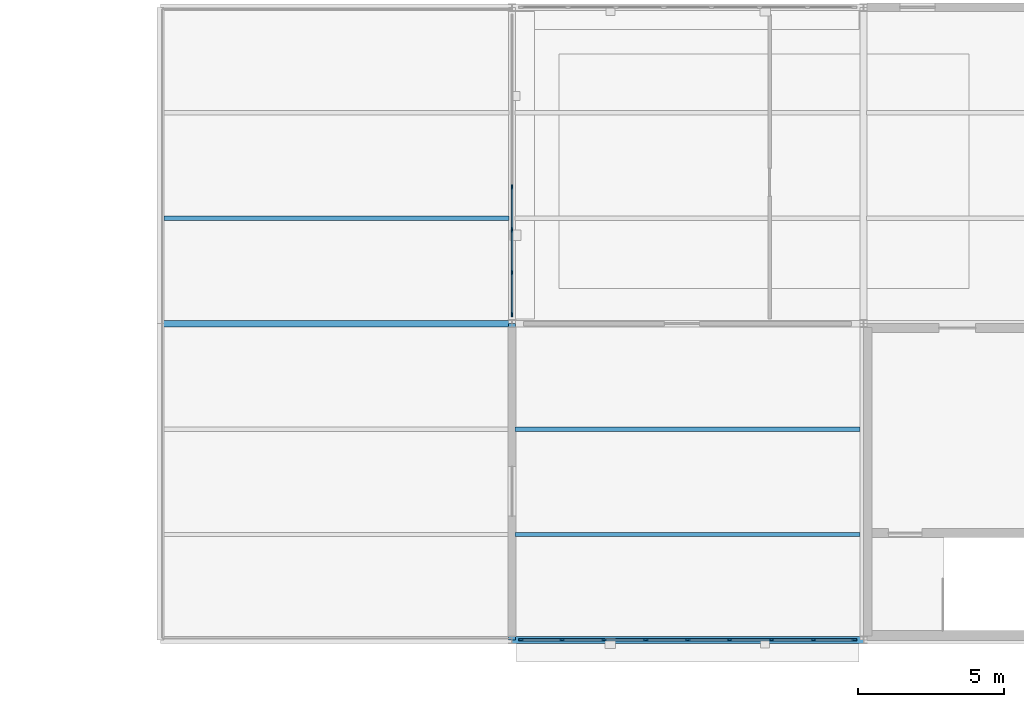
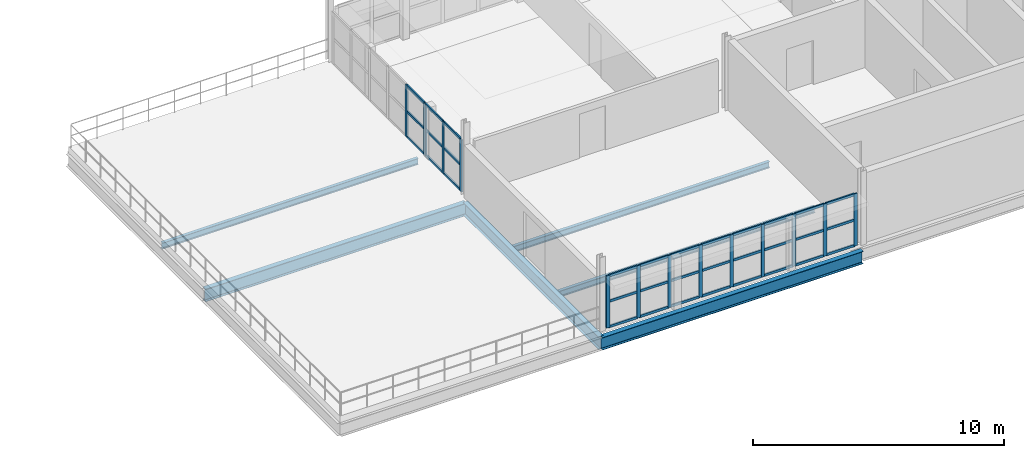
# One storey, part 29 of 62: 46 members, 6 beams, 2 elements without a shape of their own.
"""IFC4 building model written with IfcOpenShell, lengths in metres."""

import ifcopenshell
import ifcopenshell.guid

model = None  # the IFC model being written
_history = None  # IfcOwnerHistory: only IFC2X3 demands one
_inside = {}  # id of a spatial element -> (the spatial element, [elements in it])
_under = {}  # id of a project, library or spatial element -> (it, [spatial elements below it])
_declared = {}  # id of a project -> (the project, [libraries it declares])
_typed = {}  # id of a type object -> (the type object, [elements of that type])
_made_of = {}  # id of a material, layer set ... -> (it, [elements and type objects made of it])


def new_model(schema):
    """Start an empty IFC model of exactly this schema.

    Asked for "IFC4X3", IfcOpenShell would pick the latest addendum, in which some entities
    have other attributes; the version numbers below select the first issue.
    IFC2X3 requires an IfcOwnerHistory on every rooted entity: one is made here for all.
    """
    global model, _history
    if schema == "IFC4X3":
        model = ifcopenshell.file(schema_version=(4, 3, 0, 0))
    else:
        model = ifcopenshell.file(schema=schema)
    _inside.clear()
    _under.clear()
    _declared.clear()
    _typed.clear()
    _made_of.clear()
    _history = None
    if model.schema == "IFC2X3":
        org = make("IfcOrganization", Name="unknown")
        user = make(
            "IfcPersonAndOrganization",
            ThePerson=make("IfcPerson", FamilyName="unknown"),
            TheOrganization=org,
        )
        app = make(
            "IfcApplication",
            ApplicationDeveloper=org,
            Version="unknown",
            ApplicationFullName="unknown",
            ApplicationIdentifier="unknown",
        )
        _history = make(
            "IfcOwnerHistory",
            OwningUser=user,
            OwningApplication=app,
            ChangeAction="ADDED",
            CreationDate=0,
        )
    return model


def make(cls, **values):
    """One entity of the class cls with the attributes given. An attribute that is None is left unset."""
    return model.create_entity(
        cls, **{name: value for name, value in values.items() if value is not None}
    )


def rooted(cls, **values):
    """An entity with a GlobalId (a new one), such as an element, a storey or a relation."""
    return make(cls, GlobalId=ifcopenshell.guid.new(), OwnerHistory=_history, **values)


def si_unit(unit_type, name, prefix=None):
    """IfcSIUnit, for example si_unit("LENGTHUNIT", "METRE", prefix="MILLI")."""
    return make("IfcSIUnit", UnitType=unit_type, Prefix=prefix, Name=name)


def assignment(units):
    """IfcUnitAssignment: the units of a project."""
    return None if units is None else make("IfcUnitAssignment", Units=units)


def point(xyz):
    """IfcCartesianPoint."""
    return None if xyz is None else make("IfcCartesianPoint", Coordinates=xyz)


def direction(xyz):
    """IfcDirection."""
    return None if xyz is None else make("IfcDirection", DirectionRatios=xyz)


def frame(location, z_axis=None, x_axis=None):
    """IfcAxis2Placement3D, a coordinate frame: its origin and axes. An axis left out is left unset."""
    return make(
        "IfcAxis2Placement3D",
        Location=point(location),
        Axis=direction(z_axis),
        RefDirection=direction(x_axis),
    )


def frame_2d(location, x_axis=None):
    """IfcAxis2Placement2D, a coordinate frame in the plane: its origin and x axis."""
    return make(
        "IfcAxis2Placement2D", Location=point(location), RefDirection=direction(x_axis)
    )


def origin():
    """The frame at (0, 0, 0) with its axes left unset."""
    return frame((0.0, 0.0, 0.0))


def origin_2d():
    """The frame at (0, 0) in the plane with its x axis left unset."""
    return frame_2d((0.0, 0.0))


def place(relative_to, where):
    """IfcLocalPlacement: puts the frame where relative to a parent placement (None: the world)."""
    return make(
        "IfcLocalPlacement", PlacementRelTo=relative_to, RelativePlacement=where
    )


def context(
    kind, dimensions, precision=None, world=None, true_north=None, identifier=None
):
    """IfcGeometricRepresentationContext, for example the 3D "Model" context."""
    return make(
        "IfcGeometricRepresentationContext",
        ContextIdentifier=identifier,
        ContextType=kind,
        CoordinateSpaceDimension=dimensions,
        Precision=precision,
        WorldCoordinateSystem=world,
        TrueNorth=true_north,
    )


def subcontext(parent, identifier, kind, view, scale=None):
    """IfcGeometricRepresentationSubContext, for example "Body" below "Model"."""
    return make(
        "IfcGeometricRepresentationSubContext",
        ContextIdentifier=identifier,
        ContextType=kind,
        ParentContext=parent,
        TargetScale=scale,
        TargetView=view,
    )


def project(units=None, contexts=None):
    """IfcProject with its units and contexts."""
    return rooted(
        "IfcProject",
        Name="project",
        RepresentationContexts=contexts,
        UnitsInContext=assignment(units),
    )


def spatial(cls, under=None, at=None, **own):
    """A site, building, storey or space (cls), placed at a placement, below another one or the project."""
    s = rooted(cls, ObjectPlacement=at, **own)
    if under is not None:
        _under.setdefault(under.id(), (under, []))[1].append(s)
    return s


def profile(cls, at=None, kind="AREA", **sizes):
    """A parametric profile (cls). Its sizes go by their IFC names, for example OverallWidth=200.0."""
    return make(cls, ProfileType=kind, Position=at, **sizes)


def rectangle(**sizes):
    """IfcRectangleProfileDef."""
    return profile("IfcRectangleProfileDef", **sizes)


def i_section(**sizes):
    """IfcIShapeProfileDef."""
    return profile("IfcIShapeProfileDef", **sizes)


def extrude(swept, where, along, depth):
    """IfcExtrudedAreaSolid: the profile swept, set in the frame where, extruded along a direction by depth."""
    return make(
        "IfcExtrudedAreaSolid",
        SweptArea=swept,
        Position=where,
        ExtrudedDirection=direction(along),
        Depth=depth,
    )


def shape(context_of_items, identifier, shape_type, items):
    """IfcShapeRepresentation: the items that make up one representation, for example the "Body"."""
    return make(
        "IfcShapeRepresentation",
        ContextOfItems=context_of_items,
        RepresentationIdentifier=identifier,
        RepresentationType=shape_type,
        Items=items,
    )


def material(Name=None, Category=None):
    """IfcMaterial."""
    return make("IfcMaterial", Name=Name, Category=Category)


def layer(
    of_material, thickness, ventilated=None, Name=None, Category=None, Priority=None
):
    """IfcMaterialLayer: one layer of a wall or slab, of a material (None: an air gap)."""
    return make(
        "IfcMaterialLayer",
        Material=of_material,
        LayerThickness=thickness,
        IsVentilated=ventilated,
        Name=Name,
        Category=Category,
        Priority=Priority,
    )


def layer_set(layers, Name=None):
    """IfcMaterialLayerSet."""
    return make("IfcMaterialLayerSet", MaterialLayers=layers, LayerSetName=Name)


def material_profile(
    of_material, cross_section, Name=None, Category=None, Priority=None
):
    """IfcMaterialProfile: a cross section and its material."""
    return make(
        "IfcMaterialProfile",
        Name=Name,
        Material=of_material,
        Profile=cross_section,
        Priority=Priority,
        Category=Category,
    )


def profile_set(profiles, Name=None, composite=None):
    """IfcMaterialProfileSet."""
    return make(
        "IfcMaterialProfileSet",
        Name=Name,
        MaterialProfiles=profiles,
        CompositeProfile=composite,
    )


def made_of(thing, what):
    """Note that an element or type object is made of a material, layer set ...; save() writes the relation."""
    if what is not None:
        _made_of.setdefault(what.id(), (what, []))[1].append(thing)
    return thing


def type_object(cls, material=None, **own):
    """A type object (cls), such as IfcWallType, which elements share."""
    return made_of(rooted(cls, **own), material)


def element(
    cls,
    number,
    at=None,
    inside=None,
    cuts=None,
    type_object=None,
    material=None,
    context=None,
    identifier="Body",
    shape_type=None,
    held_by="IfcProductDefinitionShape",
    body=None,
    shapes=None,
    **own,
):
    """One element of the class cls, such as IfcWall. Its Tag is "e" and its number.

    at: its placement. inside: the storey or other place that contains it. cuts: it is an
    opening in that element (IfcRelVoidsElement). A single representation is given by context,
    identifier, shape_type and body (its items); several are given by shapes. held_by: the class
    of the entity that holds the representations. save() writes the other relations.
    """
    e = rooted(cls, Tag="e%d" % number, ObjectPlacement=at, **own)
    if body is not None:
        shapes = [shape(context, identifier, shape_type, body)]
    if shapes is not None:
        e.Representation = make(held_by, Representations=shapes)
    if inside is not None:
        _inside.setdefault(inside.id(), (inside, []))[1].append(e)
    if cuts is not None:
        rooted(
            "IfcRelVoidsElement", RelatingBuildingElement=cuts, RelatedOpeningElement=e
        )
    if type_object is not None:
        _typed.setdefault(type_object.id(), (type_object, []))[1].append(e)
    return made_of(e, material)


def aggregate(whole, parts):
    """IfcRelAggregates: a whole, such as a stair, and the parts it consists of."""
    return rooted("IfcRelAggregates", RelatingObject=whole, RelatedObjects=parts)


def save(model, path):
    """Write the relations noted so far, then the file.

    IfcRelAggregates (storeys below a building ...), IfcRelContainedInSpatialStructure (elements
    in a storey), IfcRelDefinesByType, IfcRelAssociatesMaterial and IfcRelDeclares: one each for
    every whole, place, type object, material and project.
    """
    for whole, parts in _under.values():
        aggregate(whole, parts)
    for where, things in _inside.values():
        rooted(
            "IfcRelContainedInSpatialStructure",
            RelatedElements=things,
            RelatingStructure=where,
        )
    for kind, things in _typed.values():
        rooted("IfcRelDefinesByType", RelatedObjects=things, RelatingType=kind)
    for what, things in _made_of.values():
        rooted("IfcRelAssociatesMaterial", RelatedObjects=things, RelatingMaterial=what)
    for by, libraries in _declared.values():
        rooted("IfcRelDeclares", RelatingContext=by, RelatedDefinitions=libraries)
    model.write(path)


model = new_model("IFC4")

# Units and contexts
model_context = context("Model", 3, precision=1e-05, world=origin(), true_north=direction((0.0, 1.0)))
body_context = subcontext(model_context, "Body", "Model", "MODEL_VIEW")
ifc_project = project(units=[si_unit("LENGTHUNIT", "METRE"), si_unit("AREAUNIT", "SQUARE_METRE"), si_unit("VOLUMEUNIT", "CUBIC_METRE"), si_unit("PLANEANGLEUNIT", "RADIAN"), si_unit("MASSUNIT", "GRAM", prefix="KILO"), si_unit("THERMODYNAMICTEMPERATUREUNIT", "KELVIN"), si_unit("POWERUNIT", "WATT")], contexts=[model_context])

# Site, building, storey
site_placement = place(None, origin())
site = spatial("IfcSite", under=ifc_project, at=site_placement, CompositionType="ELEMENT")
building_placement = place(site_placement, origin())
building = spatial("IfcBuilding", under=site, at=building_placement, Name="Tembeka Court Mobility Hub", CompositionType="ELEMENT")
storey_placement = place(building_placement, frame((0.0, 0.0, 16.199951171875)))
storey = spatial("IfcBuildingStorey", under=building, at=storey_placement, Name="L04", CompositionType="ELEMENT", Elevation=16.199951171875)

# Beams
ifc_material_1 = material(Name="Steel S355", Category="steel")
ifc_material_profile_1 = material_profile(ifc_material_1, i_section(OverallWidth=0.22900390625, OverallDepth=0.612060546875, WebThickness=0.011962890625, FlangeThickness=0.01953125, FilletRadius=0.0126953125, at=origin_2d()), Name="UKB 610x229x125")
ifc_profile_set_1 = profile_set([ifc_material_profile_1], Name="Steel S355")
beam_type_1 = type_object("IfcBeamType", Name="BM-G02", PredefinedType="USERDEFINED", material=ifc_profile_set_1)
for number, where, z_axis, x_axis, name in (
    (1, (140.39990234375, 0.0, -0.6259765625), (1.0, 0.0, 0.0), (0.0, 1.0, 0.0), "Beam G02 (BM-L04-X2196)"),
    (2, (128.39990234375, 10.800048828125, -0.6259765625), (1.0, 0.0, 0.0), (0.0, 1.0, 0.0), "Beam G02 (BM-L04-X2202)"),
):
    element("IfcBeam", number, at=place(storey_placement, frame(where, z_axis=z_axis, x_axis=x_axis)), inside=storey, type_object=beam_type_1, Name=name, ObjectType="GIRDER", PredefinedType="USERDEFINED", context=body_context, shape_type="SweptSolid", body=[
        extrude(i_section(OverallWidth=0.22900390625, OverallDepth=0.612060546875, WebThickness=0.011962890625, FlangeThickness=0.01953125, FilletRadius=0.0126953125, at=origin_2d()), origin(), (0.0, 0.0, 1.0), 12.0),
    ])
beam_placement = place(storey_placement, frame((140.39990234375, 0.0, -0.6259765625), z_axis=(0.0, 1.0, 0.0), x_axis=(-1.0, 0.0, 0.0)))
element("IfcBeam", 3, at=beam_placement, inside=storey, type_object=beam_type_1, Name="Beam G02 (BM-L04-Y2422)", ObjectType="GIRDER", PredefinedType="USERDEFINED", context=body_context, shape_type="SweptSolid", body=[
    extrude(i_section(OverallWidth=0.22900390625, OverallDepth=0.612060546875, WebThickness=0.011962890625, FlangeThickness=0.01953125, FilletRadius=0.0126953125, at=origin_2d()), origin(), (0.0, 0.0, 1.0), 10.800048828125),
])
ifc_material_profile_2 = material_profile(ifc_material_1, i_section(OverallWidth=0.14990234375, OverallDepth=0.300048828125, WebThickness=0.007080078125, FlangeThickness=0.0107421875, FilletRadius=0.014892578125, at=origin_2d()), Name="IPE 300")
ifc_profile_set_2 = profile_set([ifc_material_profile_2], Name="Steel S355")
beam_type_2 = type_object("IfcBeamType", Name="BM-J04", PredefinedType="JOIST", material=ifc_profile_set_2)
for number, where, z_axis, x_axis, name in (
    (4, (128.509521484375, 14.39990234375, -0.469970703125), (1.0, 0.0, 0.0), (0.0, 1.0, 0.0), "Beam J04 (JST-L04-2636)"),
    (5, (140.509521484375, 3.60009765625, -0.469970703125), (1.0, 0.0, 0.0), (0.0, 1.0, 0.0), "Beam J04 (JST-L04-2638)"),
    (6, (140.509521484375, 7.199951171875, -0.469970703125), (1.0, 0.0, 0.0), (0.0, 1.0, 0.0), "Beam J04 (JST-L04-2639)"),
):
    element("IfcBeam", number, at=place(storey_placement, frame(where, z_axis=z_axis, x_axis=x_axis)), inside=storey, type_object=beam_type_2, Name=name, PredefinedType="JOIST", context=body_context, shape_type="SweptSolid", body=[
        extrude(i_section(OverallWidth=0.14990234375, OverallDepth=0.300048828125, WebThickness=0.007080078125, FlangeThickness=0.0107421875, FilletRadius=0.014892578125, at=origin_2d()), origin(), (0.0, 0.0, 1.0), 11.781005859375),
    ])

# Curtain wall, members
ifc_material_2 = material(Name="Anodised aluminium 6063-T6", Category="aluminium")
ifc_layer_1 = layer(ifc_material_2, 0.159912109375)
ifc_layer_set_1 = layer_set([ifc_layer_1], Name="Anodised aluminium 6063-T6")
curtain_wall_type_1 = type_object("IfcCurtainWallType", Name="CW-SYS41", PredefinedType="USERDEFINED", material=ifc_layer_set_1)
curtain_wall_1_placement = place(storey_placement, origin())
curtain_wall_1 = element("IfcCurtainWall", 7, at=curtain_wall_1_placement, inside=storey, type_object=curtain_wall_type_1, Name="Unitised curtain wall CW41 (CW-L04-144)", ObjectType="UNITISED GLAZING", PredefinedType="USERDEFINED")
ifc_material_profile_3 = material_profile(ifc_material_2, rectangle(XDim=0.06494140625, YDim=0.159912109375, at=origin_2d()), Name="ALU-MUL 65x160")
ifc_profile_set_3 = profile_set([ifc_material_profile_3], Name="Anodised aluminium 6063-T6")
member_type_1 = type_object("IfcMemberType", Name="CW-MUL01", PredefinedType="MULLION", material=ifc_profile_set_3)
member_1_placement = place(storey_placement, frame((140.71240234375, 0.0, 0.0), z_axis=(0.0, 0.0, 1.0), x_axis=(0.0, 1.0, 0.0)))
member_1 = element("IfcMember", 8, at=member_1_placement, type_object=member_type_1, Name="CW41 mullion 1", PredefinedType="MULLION", context=body_context, shape_type="SweptSolid", body=[
    extrude(rectangle(XDim=0.06494140625, YDim=0.159912109375, at=origin_2d()), origin(), (0.0, 0.0, 1.0), 2.53515625),
])
member_2_placement = place(storey_placement, frame((142.110107421875, 0.0, 0.0), z_axis=(0.0, 0.0, 1.0), x_axis=(0.0, 1.0, 0.0)))
member_2 = element("IfcMember", 9, at=member_2_placement, type_object=member_type_1, Name="CW41 mullion 2", PredefinedType="MULLION", context=body_context, shape_type="SweptSolid", body=[
    extrude(rectangle(XDim=0.06494140625, YDim=0.159912109375, at=origin_2d()), origin(), (0.0, 0.0, 1.0), 2.53515625),
])
member_3_placement = place(storey_placement, frame((143.5400390625, 0.0, 0.0), z_axis=(0.0, 0.0, 1.0), x_axis=(0.0, 1.0, 0.0)))
member_3 = element("IfcMember", 10, at=member_3_placement, type_object=member_type_1, Name="CW41 mullion 3", PredefinedType="MULLION", context=body_context, shape_type="SweptSolid", body=[
    extrude(rectangle(XDim=0.06494140625, YDim=0.159912109375, at=origin_2d()), origin(), (0.0, 0.0, 1.0), 2.53515625),
])
member_4_placement = place(storey_placement, frame((144.969970703125, 0.0, 0.0), z_axis=(0.0, 0.0, 1.0), x_axis=(0.0, 1.0, 0.0)))
member_4 = element("IfcMember", 11, at=member_4_placement, type_object=member_type_1, Name="CW41 mullion 4", PredefinedType="MULLION", context=body_context, shape_type="SweptSolid", body=[
    extrude(rectangle(XDim=0.06494140625, YDim=0.159912109375, at=origin_2d()), origin(), (0.0, 0.0, 1.0), 2.53515625),
])
member_5_placement = place(storey_placement, frame((146.39990234375, 0.0, 0.0), z_axis=(0.0, 0.0, 1.0), x_axis=(0.0, 1.0, 0.0)))
member_5 = element("IfcMember", 12, at=member_5_placement, type_object=member_type_1, Name="CW41 mullion 5", PredefinedType="MULLION", context=body_context, shape_type="SweptSolid", body=[
    extrude(rectangle(XDim=0.06494140625, YDim=0.159912109375, at=origin_2d()), origin(), (0.0, 0.0, 1.0), 2.53515625),
])
member_6_placement = place(storey_placement, frame((147.830078125, 0.0, 0.0), z_axis=(0.0, 0.0, 1.0), x_axis=(0.0, 1.0, 0.0)))
member_6 = element("IfcMember", 13, at=member_6_placement, type_object=member_type_1, Name="CW41 mullion 6", PredefinedType="MULLION", context=body_context, shape_type="SweptSolid", body=[
    extrude(rectangle(XDim=0.06494140625, YDim=0.159912109375, at=origin_2d()), origin(), (0.0, 0.0, 1.0), 2.53515625),
])
member_7_placement = place(storey_placement, frame((149.260009765625, 0.0, 0.0), z_axis=(0.0, 0.0, 1.0), x_axis=(0.0, 1.0, 0.0)))
member_7 = element("IfcMember", 14, at=member_7_placement, type_object=member_type_1, Name="CW41 mullion 7", PredefinedType="MULLION", context=body_context, shape_type="SweptSolid", body=[
    extrude(rectangle(XDim=0.06494140625, YDim=0.159912109375, at=origin_2d()), origin(), (0.0, 0.0, 1.0), 2.53515625),
])
member_8_placement = place(storey_placement, frame((150.68994140625, 0.0, 0.0), z_axis=(0.0, 0.0, 1.0), x_axis=(0.0, 1.0, 0.0)))
member_8 = element("IfcMember", 15, at=member_8_placement, type_object=member_type_1, Name="CW41 mullion 8", PredefinedType="MULLION", context=body_context, shape_type="SweptSolid", body=[
    extrude(rectangle(XDim=0.06494140625, YDim=0.159912109375, at=origin_2d()), origin(), (0.0, 0.0, 1.0), 2.53515625),
])
member_9_placement = place(storey_placement, frame((152.08740234375, 0.0, 0.0), z_axis=(0.0, 0.0, 1.0), x_axis=(0.0, 1.0, 0.0)))
member_9 = element("IfcMember", 16, at=member_9_placement, type_object=member_type_1, Name="CW41 mullion 9", PredefinedType="MULLION", context=body_context, shape_type="SweptSolid", body=[
    extrude(rectangle(XDim=0.06494140625, YDim=0.159912109375, at=origin_2d()), origin(), (0.0, 0.0, 1.0), 2.53515625),
])

ifc_layer_2 = layer(ifc_material_2, 0.159912109375)
ifc_layer_set_2 = layer_set([ifc_layer_2], Name="Anodised aluminium 6063-T6")
curtain_wall_type_2 = type_object("IfcCurtainWallType", Name="CW-SYS42", PredefinedType="USERDEFINED", material=ifc_layer_set_2)
curtain_wall_2_placement = place(storey_placement, origin())
curtain_wall_2 = element("IfcCurtainWall", 17, at=curtain_wall_2_placement, inside=storey, type_object=curtain_wall_type_2, Name="Unitised curtain wall CW42 (CW-L04-148)", ObjectType="UNITISED GLAZING", PredefinedType="USERDEFINED")
member_10_placement = place(storey_placement, frame((140.39990234375, 11.112548828125, 0.0), z_axis=(0.0, 0.0, 1.0), x_axis=(-1.0, 0.0, 0.0)))
member_10 = element("IfcMember", 18, at=member_10_placement, type_object=member_type_1, Name="CW42 mullion 1", PredefinedType="MULLION", context=body_context, shape_type="SweptSolid", body=[
    extrude(rectangle(XDim=0.06494140625, YDim=0.159912109375, at=origin_2d()), origin(), (0.0, 0.0, 1.0), 2.53515625),
])
member_11_placement = place(storey_placement, frame((140.39990234375, 12.54296875, 0.0), z_axis=(0.0, 0.0, 1.0), x_axis=(-1.0, 0.0, 0.0)))
member_11 = element("IfcMember", 19, at=member_11_placement, type_object=member_type_1, Name="CW42 mullion 2", PredefinedType="MULLION", context=body_context, shape_type="SweptSolid", body=[
    extrude(rectangle(XDim=0.06494140625, YDim=0.159912109375, at=origin_2d()), origin(), (0.0, 0.0, 1.0), 2.53515625),
])
member_12_placement = place(storey_placement, frame((140.39990234375, 14.005615234375, 0.0), z_axis=(0.0, 0.0, 1.0), x_axis=(-1.0, 0.0, 0.0)))
member_12 = element("IfcMember", 20, at=member_12_placement, type_object=member_type_1, Name="CW42 mullion 3", PredefinedType="MULLION", context=body_context, shape_type="SweptSolid", body=[
    extrude(rectangle(XDim=0.06494140625, YDim=0.159912109375, at=origin_2d()), origin(), (0.0, 0.0, 1.0), 2.53515625),
])
member_13_placement = place(storey_placement, frame((140.39990234375, 15.468505859375, 0.0), z_axis=(0.0, 0.0, 1.0), x_axis=(-1.0, 0.0, 0.0)))
member_13 = element("IfcMember", 21, at=member_13_placement, type_object=member_type_1, Name="CW42 mullion 4", PredefinedType="MULLION", context=body_context, shape_type="SweptSolid", body=[
    extrude(rectangle(XDim=0.06494140625, YDim=0.159912109375, at=origin_2d()), origin(), (0.0, 0.0, 1.0), 2.53515625),
])

# Member
ifc_material_profile_4 = material_profile(ifc_material_2, rectangle(XDim=0.06494140625, YDim=0.1201171875, at=origin_2d()), Name="ALU-TRN 65x120")
ifc_profile_set_4 = profile_set([ifc_material_profile_4], Name="Anodised aluminium 6063-T6")
member_type_2 = type_object("IfcMemberType", Name="CW-TRN01", PredefinedType="USERDEFINED", material=ifc_profile_set_4)
member_14_placement = place(storey_placement, frame((140.7451171875, 0.0, 0.032470703125), z_axis=(1.0, 0.0, 0.0), x_axis=(0.0, 1.0, 0.0)))
member_14 = element("IfcMember", 22, at=member_14_placement, type_object=member_type_2, Name="CW41 transom 1.1", ObjectType="TRANSOM", PredefinedType="USERDEFINED", context=body_context, shape_type="SweptSolid", body=[
    extrude(rectangle(XDim=0.06494140625, YDim=0.1201171875, at=origin_2d()), origin(), (0.0, 0.0, 1.0), 1.332275390625),
])

member_15_placement = place(storey_placement, frame((140.7451171875, 0.0, 1.267578125), z_axis=(1.0, 0.0, 0.0), x_axis=(0.0, 1.0, 0.0)))
member_15 = element("IfcMember", 23, at=member_15_placement, type_object=member_type_2, Name="CW41 transom 1.2", ObjectType="TRANSOM", PredefinedType="USERDEFINED", context=body_context, shape_type="SweptSolid", body=[
    extrude(rectangle(XDim=0.06494140625, YDim=0.1201171875, at=origin_2d()), origin(), (0.0, 0.0, 1.0), 1.332275390625),
])

member_16_placement = place(storey_placement, frame((140.7451171875, 0.0, 2.50244140625), z_axis=(1.0, 0.0, 0.0), x_axis=(0.0, 1.0, 0.0)))
member_16 = element("IfcMember", 24, at=member_16_placement, type_object=member_type_2, Name="CW41 transom 1.3", ObjectType="TRANSOM", PredefinedType="USERDEFINED", context=body_context, shape_type="SweptSolid", body=[
    extrude(rectangle(XDim=0.06494140625, YDim=0.1201171875, at=origin_2d()), origin(), (0.0, 0.0, 1.0), 1.332275390625),
])

member_17_placement = place(storey_placement, frame((142.142578125, 0.0, 0.032470703125), z_axis=(1.0, 0.0, 0.0), x_axis=(0.0, 1.0, 0.0)))
member_17 = element("IfcMember", 25, at=member_17_placement, type_object=member_type_2, Name="CW41 transom 2.1", ObjectType="TRANSOM", PredefinedType="USERDEFINED", context=body_context, shape_type="SweptSolid", body=[
    extrude(rectangle(XDim=0.06494140625, YDim=0.1201171875, at=origin_2d()), origin(), (0.0, 0.0, 1.0), 1.364990234375),
])

member_18_placement = place(storey_placement, frame((142.142578125, 0.0, 1.267578125), z_axis=(1.0, 0.0, 0.0), x_axis=(0.0, 1.0, 0.0)))
member_18 = element("IfcMember", 26, at=member_18_placement, type_object=member_type_2, Name="CW41 transom 2.2", ObjectType="TRANSOM", PredefinedType="USERDEFINED", context=body_context, shape_type="SweptSolid", body=[
    extrude(rectangle(XDim=0.06494140625, YDim=0.1201171875, at=origin_2d()), origin(), (0.0, 0.0, 1.0), 1.364990234375),
])

member_19_placement = place(storey_placement, frame((142.142578125, 0.0, 2.50244140625), z_axis=(1.0, 0.0, 0.0), x_axis=(0.0, 1.0, 0.0)))
member_19 = element("IfcMember", 27, at=member_19_placement, type_object=member_type_2, Name="CW41 transom 2.3", ObjectType="TRANSOM", PredefinedType="USERDEFINED", context=body_context, shape_type="SweptSolid", body=[
    extrude(rectangle(XDim=0.06494140625, YDim=0.1201171875, at=origin_2d()), origin(), (0.0, 0.0, 1.0), 1.364990234375),
])

member_20_placement = place(storey_placement, frame((143.572509765625, 0.0, 0.032470703125), z_axis=(1.0, 0.0, 0.0), x_axis=(0.0, 1.0, 0.0)))
member_20 = element("IfcMember", 28, at=member_20_placement, type_object=member_type_2, Name="CW41 transom 3.1", ObjectType="TRANSOM", PredefinedType="USERDEFINED", context=body_context, shape_type="SweptSolid", body=[
    extrude(rectangle(XDim=0.06494140625, YDim=0.1201171875, at=origin_2d()), origin(), (0.0, 0.0, 1.0), 1.364990234375),
])

member_21_placement = place(storey_placement, frame((143.572509765625, 0.0, 1.267578125), z_axis=(1.0, 0.0, 0.0), x_axis=(0.0, 1.0, 0.0)))
member_21 = element("IfcMember", 29, at=member_21_placement, type_object=member_type_2, Name="CW41 transom 3.2", ObjectType="TRANSOM", PredefinedType="USERDEFINED", context=body_context, shape_type="SweptSolid", body=[
    extrude(rectangle(XDim=0.06494140625, YDim=0.1201171875, at=origin_2d()), origin(), (0.0, 0.0, 1.0), 1.364990234375),
])

member_22_placement = place(storey_placement, frame((143.572509765625, 0.0, 2.50244140625), z_axis=(1.0, 0.0, 0.0), x_axis=(0.0, 1.0, 0.0)))
member_22 = element("IfcMember", 30, at=member_22_placement, type_object=member_type_2, Name="CW41 transom 3.3", ObjectType="TRANSOM", PredefinedType="USERDEFINED", context=body_context, shape_type="SweptSolid", body=[
    extrude(rectangle(XDim=0.06494140625, YDim=0.1201171875, at=origin_2d()), origin(), (0.0, 0.0, 1.0), 1.364990234375),
])

member_23_placement = place(storey_placement, frame((145.00244140625, 0.0, 0.032470703125), z_axis=(1.0, 0.0, 0.0), x_axis=(0.0, 1.0, 0.0)))
member_23 = element("IfcMember", 31, at=member_23_placement, type_object=member_type_2, Name="CW41 transom 4.1", ObjectType="TRANSOM", PredefinedType="USERDEFINED", context=body_context, shape_type="SweptSolid", body=[
    extrude(rectangle(XDim=0.06494140625, YDim=0.1201171875, at=origin_2d()), origin(), (0.0, 0.0, 1.0), 1.364990234375),
])

member_24_placement = place(storey_placement, frame((145.00244140625, 0.0, 1.267578125), z_axis=(1.0, 0.0, 0.0), x_axis=(0.0, 1.0, 0.0)))
member_24 = element("IfcMember", 32, at=member_24_placement, type_object=member_type_2, Name="CW41 transom 4.2", ObjectType="TRANSOM", PredefinedType="USERDEFINED", context=body_context, shape_type="SweptSolid", body=[
    extrude(rectangle(XDim=0.06494140625, YDim=0.1201171875, at=origin_2d()), origin(), (0.0, 0.0, 1.0), 1.364990234375),
])

member_25_placement = place(storey_placement, frame((145.00244140625, 0.0, 2.50244140625), z_axis=(1.0, 0.0, 0.0), x_axis=(0.0, 1.0, 0.0)))
member_25 = element("IfcMember", 33, at=member_25_placement, type_object=member_type_2, Name="CW41 transom 4.3", ObjectType="TRANSOM", PredefinedType="USERDEFINED", context=body_context, shape_type="SweptSolid", body=[
    extrude(rectangle(XDim=0.06494140625, YDim=0.1201171875, at=origin_2d()), origin(), (0.0, 0.0, 1.0), 1.364990234375),
])

member_26_placement = place(storey_placement, frame((146.4326171875, 0.0, 0.032470703125), z_axis=(1.0, 0.0, 0.0), x_axis=(0.0, 1.0, 0.0)))
member_26 = element("IfcMember", 34, at=member_26_placement, type_object=member_type_2, Name="CW41 transom 5.1", ObjectType="TRANSOM", PredefinedType="USERDEFINED", context=body_context, shape_type="SweptSolid", body=[
    extrude(rectangle(XDim=0.06494140625, YDim=0.1201171875, at=origin_2d()), origin(), (0.0, 0.0, 1.0), 1.364990234375),
])

member_27_placement = place(storey_placement, frame((146.4326171875, 0.0, 1.267578125), z_axis=(1.0, 0.0, 0.0), x_axis=(0.0, 1.0, 0.0)))
member_27 = element("IfcMember", 35, at=member_27_placement, type_object=member_type_2, Name="CW41 transom 5.2", ObjectType="TRANSOM", PredefinedType="USERDEFINED", context=body_context, shape_type="SweptSolid", body=[
    extrude(rectangle(XDim=0.06494140625, YDim=0.1201171875, at=origin_2d()), origin(), (0.0, 0.0, 1.0), 1.364990234375),
])

member_28_placement = place(storey_placement, frame((146.4326171875, 0.0, 2.50244140625), z_axis=(1.0, 0.0, 0.0), x_axis=(0.0, 1.0, 0.0)))
member_28 = element("IfcMember", 36, at=member_28_placement, type_object=member_type_2, Name="CW41 transom 5.3", ObjectType="TRANSOM", PredefinedType="USERDEFINED", context=body_context, shape_type="SweptSolid", body=[
    extrude(rectangle(XDim=0.06494140625, YDim=0.1201171875, at=origin_2d()), origin(), (0.0, 0.0, 1.0), 1.364990234375),
])

member_29_placement = place(storey_placement, frame((147.862548828125, 0.0, 0.032470703125), z_axis=(1.0, 0.0, 0.0), x_axis=(0.0, 1.0, 0.0)))
member_29 = element("IfcMember", 37, at=member_29_placement, type_object=member_type_2, Name="CW41 transom 6.1", ObjectType="TRANSOM", PredefinedType="USERDEFINED", context=body_context, shape_type="SweptSolid", body=[
    extrude(rectangle(XDim=0.06494140625, YDim=0.1201171875, at=origin_2d()), origin(), (0.0, 0.0, 1.0), 1.364990234375),
])

member_30_placement = place(storey_placement, frame((147.862548828125, 0.0, 1.267578125), z_axis=(1.0, 0.0, 0.0), x_axis=(0.0, 1.0, 0.0)))
member_30 = element("IfcMember", 38, at=member_30_placement, type_object=member_type_2, Name="CW41 transom 6.2", ObjectType="TRANSOM", PredefinedType="USERDEFINED", context=body_context, shape_type="SweptSolid", body=[
    extrude(rectangle(XDim=0.06494140625, YDim=0.1201171875, at=origin_2d()), origin(), (0.0, 0.0, 1.0), 1.364990234375),
])

member_31_placement = place(storey_placement, frame((147.862548828125, 0.0, 2.50244140625), z_axis=(1.0, 0.0, 0.0), x_axis=(0.0, 1.0, 0.0)))
member_31 = element("IfcMember", 39, at=member_31_placement, type_object=member_type_2, Name="CW41 transom 6.3", ObjectType="TRANSOM", PredefinedType="USERDEFINED", context=body_context, shape_type="SweptSolid", body=[
    extrude(rectangle(XDim=0.06494140625, YDim=0.1201171875, at=origin_2d()), origin(), (0.0, 0.0, 1.0), 1.364990234375),
])

member_32_placement = place(storey_placement, frame((149.29248046875, 0.0, 0.032470703125), z_axis=(1.0, 0.0, 0.0), x_axis=(0.0, 1.0, 0.0)))
member_32 = element("IfcMember", 40, at=member_32_placement, type_object=member_type_2, Name="CW41 transom 7.1", ObjectType="TRANSOM", PredefinedType="USERDEFINED", context=body_context, shape_type="SweptSolid", body=[
    extrude(rectangle(XDim=0.06494140625, YDim=0.1201171875, at=origin_2d()), origin(), (0.0, 0.0, 1.0), 1.364990234375),
])

member_33_placement = place(storey_placement, frame((149.29248046875, 0.0, 1.267578125), z_axis=(1.0, 0.0, 0.0), x_axis=(0.0, 1.0, 0.0)))
member_33 = element("IfcMember", 41, at=member_33_placement, type_object=member_type_2, Name="CW41 transom 7.2", ObjectType="TRANSOM", PredefinedType="USERDEFINED", context=body_context, shape_type="SweptSolid", body=[
    extrude(rectangle(XDim=0.06494140625, YDim=0.1201171875, at=origin_2d()), origin(), (0.0, 0.0, 1.0), 1.364990234375),
])

member_34_placement = place(storey_placement, frame((149.29248046875, 0.0, 2.50244140625), z_axis=(1.0, 0.0, 0.0), x_axis=(0.0, 1.0, 0.0)))
member_34 = element("IfcMember", 42, at=member_34_placement, type_object=member_type_2, Name="CW41 transom 7.3", ObjectType="TRANSOM", PredefinedType="USERDEFINED", context=body_context, shape_type="SweptSolid", body=[
    extrude(rectangle(XDim=0.06494140625, YDim=0.1201171875, at=origin_2d()), origin(), (0.0, 0.0, 1.0), 1.364990234375),
])

member_35_placement = place(storey_placement, frame((150.722412109375, 0.0, 0.032470703125), z_axis=(1.0, 0.0, 0.0), x_axis=(0.0, 1.0, 0.0)))
member_35 = element("IfcMember", 43, at=member_35_placement, type_object=member_type_2, Name="CW41 transom 8.1", ObjectType="TRANSOM", PredefinedType="USERDEFINED", context=body_context, shape_type="SweptSolid", body=[
    extrude(rectangle(XDim=0.06494140625, YDim=0.1201171875, at=origin_2d()), origin(), (0.0, 0.0, 1.0), 1.33251953125),
])

member_36_placement = place(storey_placement, frame((150.722412109375, 0.0, 1.267578125), z_axis=(1.0, 0.0, 0.0), x_axis=(0.0, 1.0, 0.0)))
member_36 = element("IfcMember", 44, at=member_36_placement, type_object=member_type_2, Name="CW41 transom 8.2", ObjectType="TRANSOM", PredefinedType="USERDEFINED", context=body_context, shape_type="SweptSolid", body=[
    extrude(rectangle(XDim=0.06494140625, YDim=0.1201171875, at=origin_2d()), origin(), (0.0, 0.0, 1.0), 1.33251953125),
])

member_37_placement = place(storey_placement, frame((150.722412109375, 0.0, 2.50244140625), z_axis=(1.0, 0.0, 0.0), x_axis=(0.0, 1.0, 0.0)))
member_37 = element("IfcMember", 45, at=member_37_placement, type_object=member_type_2, Name="CW41 transom 8.3", ObjectType="TRANSOM", PredefinedType="USERDEFINED", context=body_context, shape_type="SweptSolid", body=[
    extrude(rectangle(XDim=0.06494140625, YDim=0.1201171875, at=origin_2d()), origin(), (0.0, 0.0, 1.0), 1.33251953125),
])

aggregate(curtain_wall_1, [member_1, member_2, member_3, member_4, member_5, member_6, member_7, member_8, member_9, member_14, member_15, member_16, member_17, member_18, member_19, member_20, member_21, member_22, member_23, member_24, member_25, member_26, member_27, member_28, member_29, member_30, member_31, member_32, member_33, member_34, member_35, member_36, member_37])

member_38_placement = place(storey_placement, frame((140.39990234375, 11.14501953125, 0.032470703125), z_axis=(0.0, 1.0, 0.0), x_axis=(-1.0, 0.0, 0.0)))
member_38 = element("IfcMember", 46, at=member_38_placement, type_object=member_type_2, Name="CW42 transom 1.1", ObjectType="TRANSOM", PredefinedType="USERDEFINED", context=body_context, shape_type="SweptSolid", body=[
    extrude(rectangle(XDim=0.06494140625, YDim=0.1201171875, at=origin_2d()), origin(), (0.0, 0.0, 1.0), 1.365234375),
])

member_39_placement = place(storey_placement, frame((140.39990234375, 11.14501953125, 1.267578125), z_axis=(0.0, 1.0, 0.0), x_axis=(-1.0, 0.0, 0.0)))
member_39 = element("IfcMember", 47, at=member_39_placement, type_object=member_type_2, Name="CW42 transom 1.2", ObjectType="TRANSOM", PredefinedType="USERDEFINED", context=body_context, shape_type="SweptSolid", body=[
    extrude(rectangle(XDim=0.06494140625, YDim=0.1201171875, at=origin_2d()), origin(), (0.0, 0.0, 1.0), 1.365234375),
])

member_40_placement = place(storey_placement, frame((140.39990234375, 11.14501953125, 2.50244140625), z_axis=(0.0, 1.0, 0.0), x_axis=(-1.0, 0.0, 0.0)))
member_40 = element("IfcMember", 48, at=member_40_placement, type_object=member_type_2, Name="CW42 transom 1.3", ObjectType="TRANSOM", PredefinedType="USERDEFINED", context=body_context, shape_type="SweptSolid", body=[
    extrude(rectangle(XDim=0.06494140625, YDim=0.1201171875, at=origin_2d()), origin(), (0.0, 0.0, 1.0), 1.365234375),
])

member_41_placement = place(storey_placement, frame((140.39990234375, 12.575439453125, 0.032470703125), z_axis=(0.0, 1.0, 0.0), x_axis=(-1.0, 0.0, 0.0)))
member_41 = element("IfcMember", 49, at=member_41_placement, type_object=member_type_2, Name="CW42 transom 2.1", ObjectType="TRANSOM", PredefinedType="USERDEFINED", context=body_context, shape_type="SweptSolid", body=[
    extrude(rectangle(XDim=0.06494140625, YDim=0.1201171875, at=origin_2d()), origin(), (0.0, 0.0, 1.0), 1.397705078125),
])

member_42_placement = place(storey_placement, frame((140.39990234375, 12.575439453125, 1.267578125), z_axis=(0.0, 1.0, 0.0), x_axis=(-1.0, 0.0, 0.0)))
member_42 = element("IfcMember", 50, at=member_42_placement, type_object=member_type_2, Name="CW42 transom 2.2", ObjectType="TRANSOM", PredefinedType="USERDEFINED", context=body_context, shape_type="SweptSolid", body=[
    extrude(rectangle(XDim=0.06494140625, YDim=0.1201171875, at=origin_2d()), origin(), (0.0, 0.0, 1.0), 1.397705078125),
])

member_43_placement = place(storey_placement, frame((140.39990234375, 12.575439453125, 2.50244140625), z_axis=(0.0, 1.0, 0.0), x_axis=(-1.0, 0.0, 0.0)))
member_43 = element("IfcMember", 51, at=member_43_placement, type_object=member_type_2, Name="CW42 transom 2.3", ObjectType="TRANSOM", PredefinedType="USERDEFINED", context=body_context, shape_type="SweptSolid", body=[
    extrude(rectangle(XDim=0.06494140625, YDim=0.1201171875, at=origin_2d()), origin(), (0.0, 0.0, 1.0), 1.397705078125),
])

member_44_placement = place(storey_placement, frame((140.39990234375, 14.038330078125, 0.032470703125), z_axis=(0.0, 1.0, 0.0), x_axis=(-1.0, 0.0, 0.0)))
member_44 = element("IfcMember", 52, at=member_44_placement, type_object=member_type_2, Name="CW42 transom 3.1", ObjectType="TRANSOM", PredefinedType="USERDEFINED", context=body_context, shape_type="SweptSolid", body=[
    extrude(rectangle(XDim=0.06494140625, YDim=0.1201171875, at=origin_2d()), origin(), (0.0, 0.0, 1.0), 1.397705078125),
])

member_45_placement = place(storey_placement, frame((140.39990234375, 14.038330078125, 1.267578125), z_axis=(0.0, 1.0, 0.0), x_axis=(-1.0, 0.0, 0.0)))
member_45 = element("IfcMember", 53, at=member_45_placement, type_object=member_type_2, Name="CW42 transom 3.2", ObjectType="TRANSOM", PredefinedType="USERDEFINED", context=body_context, shape_type="SweptSolid", body=[
    extrude(rectangle(XDim=0.06494140625, YDim=0.1201171875, at=origin_2d()), origin(), (0.0, 0.0, 1.0), 1.397705078125),
])

member_46_placement = place(storey_placement, frame((140.39990234375, 14.038330078125, 2.50244140625), z_axis=(0.0, 1.0, 0.0), x_axis=(-1.0, 0.0, 0.0)))
member_46 = element("IfcMember", 54, at=member_46_placement, type_object=member_type_2, Name="CW42 transom 3.3", ObjectType="TRANSOM", PredefinedType="USERDEFINED", context=body_context, shape_type="SweptSolid", body=[
    extrude(rectangle(XDim=0.06494140625, YDim=0.1201171875, at=origin_2d()), origin(), (0.0, 0.0, 1.0), 1.397705078125),
])

aggregate(curtain_wall_2, [member_10, member_11, member_12, member_13, member_38, member_39, member_40, member_41, member_42, member_43, member_44, member_45, member_46])

save(model, "model.ifc")
